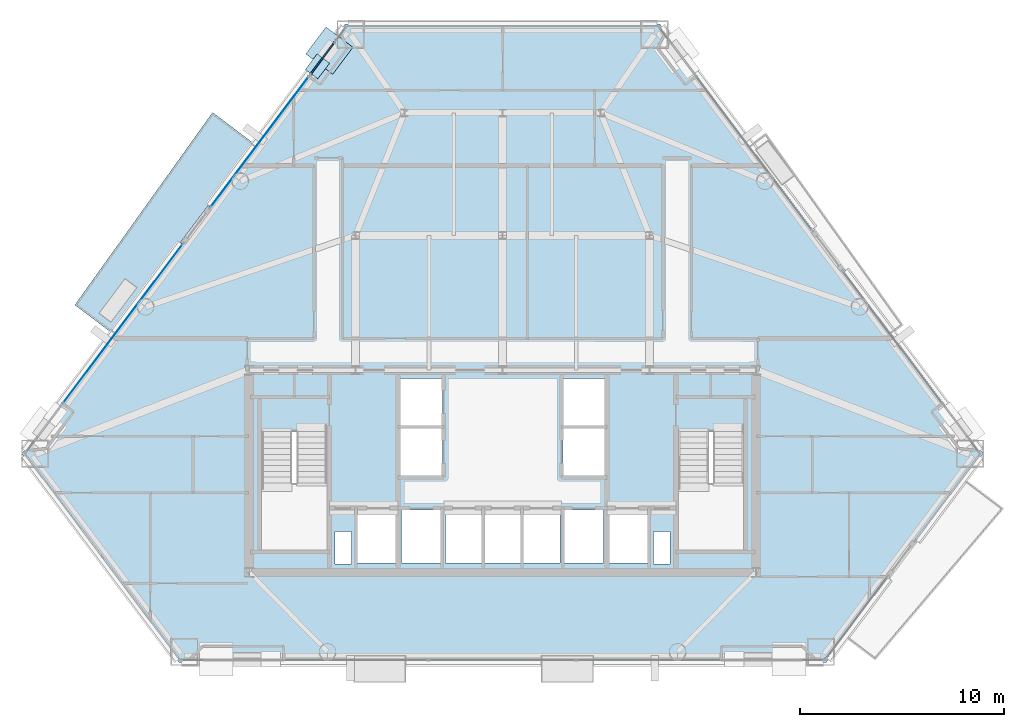
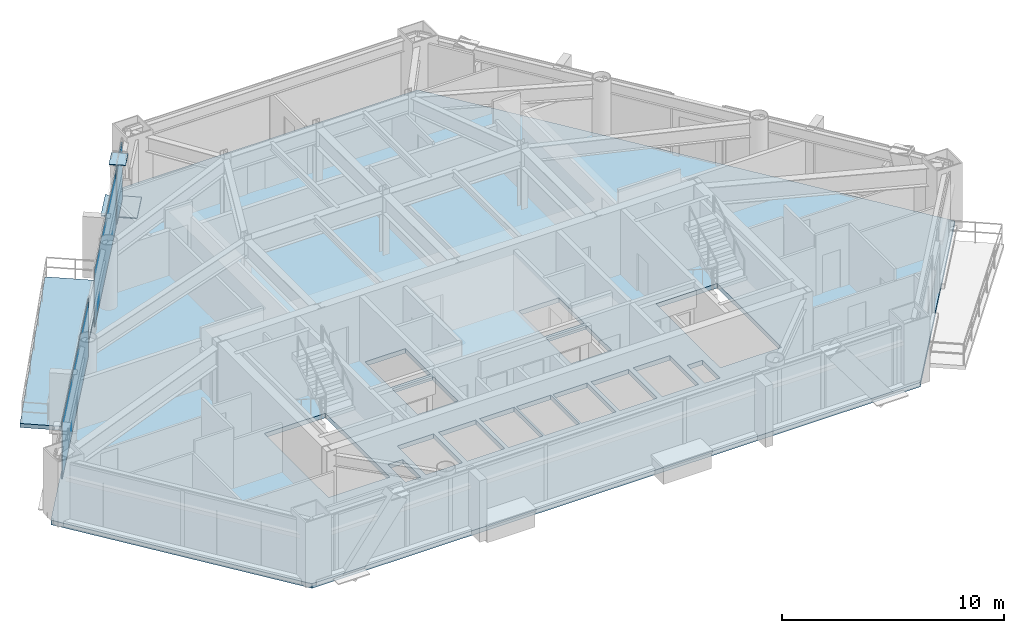
# One storey, part 7 of 14: 5 plates, 2 slabs, 3 elements without a shape of their own.
"""IFC4 building model written with IfcOpenShell, lengths in metres."""

from ifc_helpers import new_model, si_unit, direction, frame, origin, origin_2d, place, context, subcontext, project, spatial, polyline, rectangle, outline, extrude, source, transform, mapped, material, layer, layer_set, type_object, type_shapes, element, aggregate, save


model = new_model("IFC4")

# Units and contexts
model_context = context("Model", 3, precision=1e-05, world=origin(), true_north=direction((0.0, 1.0)))
body_context = subcontext(model_context, "Body", "Model", "MODEL_VIEW")
ifc_project = project(units=[si_unit("LENGTHUNIT", "METRE"), si_unit("AREAUNIT", "SQUARE_METRE"), si_unit("VOLUMEUNIT", "CUBIC_METRE"), si_unit("PLANEANGLEUNIT", "RADIAN"), si_unit("MASSUNIT", "GRAM", prefix="KILO")], contexts=[model_context])

# Site, building, storey
site_placement = place(None, origin())
site = spatial("IfcSite", under=ifc_project, at=site_placement, CompositionType="ELEMENT")
building_placement = place(site_placement, origin())
building = spatial("IfcBuilding", under=site, at=building_placement, Name="Talgorran Terracotta Tower", CompositionType="ELEMENT")
storey_placement = place(building_placement, frame((0.0, 0.0, 56.699951171875)))
storey = spatial("IfcBuildingStorey", under=building, at=storey_placement, Name="L14", CompositionType="ELEMENT", Elevation=56.699951171875)

# Plates
ifc_material_1 = material(Name="Steel Grade 350 (350L0)", Category="steel")
ifc_layer_1 = layer(ifc_material_1, 0.0400390625, Name="PL_CAP_MN05")
ifc_layer_set_1 = layer_set([ifc_layer_1], Name="Steel Grade 350 (350L0)")
plate_type_1 = type_object("IfcPlateType", Name="PL_CAP_MN05", PredefinedType="USERDEFINED", material=ifc_layer_set_1)
plate_1_placement = place(storey_placement, frame((-9.0634765625, 10.67236328125, 3.2900390625), z_axis=(0.0, 0.0, 1.0), x_axis=(-0.6013967761, -0.798950510167, 0.0)))
element("IfcPlate", 1, at=plate_1_placement, inside=storey, type_object=plate_type_1, Name="L14 Diagonal Frame End Cap NWU Top", ObjectType="CAP PLATE", PredefinedType="USERDEFINED", context=body_context, shape_type="SweptSolid", body=[
    extrude(rectangle(XDim=0.9599609375, YDim=0.760009765625, at=origin_2d()), origin(), (0.0, 0.0, 1.0), 0.0400390625),
])
ifc_layer_2 = layer(ifc_material_1, 0.06005859375, Name="PL_NODE_MN01")
ifc_layer_set_2 = layer_set([ifc_layer_2], Name="Steel Grade 350 (350L0)")
plate_type_2 = type_object("IfcPlateType", Name="PL_NODE_MN01", PredefinedType="USERDEFINED", material=ifc_layer_set_2)
plate_2_placement = place(storey_placement, frame((-8.481689453125, 11.44482421875, -0.02001953125), z_axis=(0.0, 0.0, 1.0), x_axis=(-0.6013967761, -0.798950510167, 0.0)))
element("IfcPlate", 2, at=plate_2_placement, inside=storey, type_object=plate_type_2, Name="L14 Diagonal Frame End Cap NWU Bot", ObjectType="NODE PLATE", PredefinedType="USERDEFINED", context=body_context, shape_type="SweptSolid", body=[
    extrude(rectangle(XDim=1.64990234375, YDim=1.64990234375, at=origin_2d()), origin(), (0.0, 0.0, 1.0), 0.06005859375),
])

# Slabs
ifc_material_2 = material(Name="Concrete C40/50", Category="concrete")
ifc_layer_3 = layer(ifc_material_2, 0.219970703125, Name="SL_BALCONY_220")
ifc_layer_set_3 = layer_set([ifc_layer_3], Name="Concrete C40/50")
slab_type_1 = type_object("IfcSlabType", Name="SL_BALCONY_220", PredefinedType="FLOOR", material=ifc_layer_set_3)
slab_1_placement = place(storey_placement, frame((0.0, 0.0, -0.219970703125)))
element("IfcSlab", 3, at=slab_1_placement, inside=storey, type_object=slab_type_1, Name="L14 Outdoor Wave Balcony BAL-NW", PredefinedType="FLOOR", context=body_context, shape_type="SweptSolid", body=[
    extrude(outline(polyline([(-19.11328125, -2.386474609375), (-12.14404296875, 6.87109375), (-14.197509765625, 8.4169921875), (-20.940673828125, -1.0107421875), (-19.11328125, -2.386474609375)])), origin(), (0.0, 0.0, 1.0), 0.219970703125),
])
ifc_layer_4 = layer(ifc_material_2, 0.264892578125, Name="SL_TOWER_265")
ifc_layer_set_4 = layer_set([ifc_layer_4], Name="Concrete C40/50")
slab_type_2 = type_object("IfcSlabType", Name="SL_TOWER_265", PredefinedType="FLOOR", material=ifc_layer_set_4)
slab_2_placement = place(storey_placement, frame((0.0, 0.0, -0.25)))
element("IfcSlab", 4, at=slab_2_placement, inside=storey, type_object=slab_type_2, Name="Storey L14 Structural Floor Slab", PredefinedType="FLOOR", context=body_context, shape_type="SweptSolid", body=[
    extrude(outline(polyline([(-23.5361328125, -8.28662109375), (-15.839111328125, -18.510986328125), (15.839111328125, -18.510986328125), (23.5361328125, -8.28662109375), (7.697021484375, 12.75341796875), (-7.697021484375, 12.75341796875), (-23.5361328125, -8.28662109375)]), holes=[polyline([(-11.800048828125, -7.199951171875), (-11.800048828125, -13.0), (-8.60009765625, -13.0), (-8.60009765625, -7.199951171875), (-11.800048828125, -7.199951171875)]), polyline([(8.60009765625, -7.199951171875), (8.60009765625, -13.0), (11.800048828125, -13.0), (11.800048828125, -7.199951171875), (8.60009765625, -7.199951171875)]), polyline([(-7.10009765625, -13.64990234375), (-5.199951171875, -13.64990234375), (-5.199951171875, -11.050048828125), (-7.10009765625, -11.050048828125), (-7.10009765625, -13.64990234375)]), polyline([(5.199951171875, -13.64990234375), (7.10009765625, -13.64990234375), (7.10009765625, -11.050048828125), (5.199951171875, -11.050048828125), (5.199951171875, -13.64990234375)]), polyline([(3.0, -13.64990234375), (4.949951171875, -13.64990234375), (4.949951171875, -11.050048828125), (3.0, -11.050048828125), (3.0, -13.64990234375)]), polyline([(-4.949951171875, -13.64990234375), (-3.0, -13.64990234375), (-3.0, -11.050048828125), (-4.949951171875, -11.050048828125), (-4.949951171875, -13.64990234375)]), polyline([(-5.050048828125, -9.35009765625), (-2.949951171875, -9.35009765625), (-2.949951171875, -7.050048828125), (-5.050048828125, -7.050048828125), (-5.050048828125, -9.35009765625)]), polyline([(-5.050048828125, -6.89990234375), (-2.949951171875, -6.89990234375), (-2.949951171875, -4.60009765625), (-5.050048828125, -4.60009765625), (-5.050048828125, -6.89990234375)]), polyline([(2.949951171875, -9.35009765625), (5.050048828125, -9.35009765625), (5.050048828125, -7.050048828125), (2.949951171875, -7.050048828125), (2.949951171875, -9.35009765625)]), polyline([(2.949951171875, -6.89990234375), (5.050048828125, -6.89990234375), (5.050048828125, -4.60009765625), (2.949951171875, -4.60009765625), (2.949951171875, -6.89990234375)]), polyline([(-2.800048828125, -13.64990234375), (-1.0, -13.64990234375), (-1.0, -11.050048828125), (-2.800048828125, -11.050048828125), (-2.800048828125, -13.64990234375)]), polyline([(-0.89990234375, -13.64990234375), (0.89990234375, -13.64990234375), (0.89990234375, -11.050048828125), (-0.89990234375, -11.050048828125), (-0.89990234375, -13.64990234375)]), polyline([(1.0, -13.64990234375), (2.800048828125, -13.64990234375), (2.800048828125, -11.050048828125), (1.0, -11.050048828125), (1.0, -13.64990234375)]), polyline([(-8.199951171875, -13.699951171875), (-7.39990234375, -13.699951171875), (-7.39990234375, -12.10009765625), (-8.199951171875, -12.10009765625), (-8.199951171875, -13.699951171875)]), polyline([(7.39990234375, -13.699951171875), (8.199951171875, -13.699951171875), (8.199951171875, -12.10009765625), (7.39990234375, -12.10009765625), (7.39990234375, -13.699951171875)])]), origin(), (0.0, 0.0, 1.0), 0.25),
])

# Curtain wall, plate
ifc_material_3 = material(Name="Unitised Low-E Double Glazing", Category="glass")
ifc_layer_5 = layer(ifc_material_3, 0.199951171875, Name="CW_SYS2_RES_LOW")
ifc_layer_set_5 = layer_set([ifc_layer_5], Name="Unitised Low-E Double Glazing")
curtain_wall_type = type_object("IfcCurtainWallType", Name="CW_SYS2_RES_LOW", PredefinedType="NOTDEFINED", material=ifc_layer_set_5)
curtain_wall_1_placement = place(storey_placement, origin())
curtain_wall_1 = element("IfcCurtainWall", 5, at=curtain_wall_1_placement, inside=storey, type_object=curtain_wall_type, Name="CW-L14-F60B", PredefinedType="NOTDEFINED")
ifc_material_4 = material(Name="Terracotta Insulated Spandrel", Category="masonry")
ifc_layer_6 = layer(ifc_material_4, 0.06494140625, Name="PLT_SPANDREL_TERRA")
ifc_layer_set_6 = layer_set([ifc_layer_6], Name="Terracotta Insulated Spandrel")
plate_type_3 = type_object("IfcPlateType", Name="PLT_SPANDREL_TERRA", PredefinedType="SHEET", material=ifc_layer_set_6)
shared_shape_1 = source(origin(), body_context, "Body", "SweptSolid", [
    extrude(rectangle(XDim=1.955322265625, YDim=0.06494140625, at=origin_2d()), origin(), (0.0, 0.0, 1.0), 3.18994140625),
])
type_shapes(plate_type_3, [shared_shape_1])
plate_3_placement = place(storey_placement, frame((-8.81689453125, 11.066162109375, 0.065185546875), z_axis=(0.0, 0.0, 1.0), x_axis=(-0.601441486788, -0.798916852976, 0.0)))
plate_3 = element("IfcPlate", 6, at=plate_3_placement, type_object=plate_type_3, Name="CW-L14-60B panel 1.1", PredefinedType="CURTAIN_PANEL", context=body_context, shape_type="MappedRepresentation", body=[
    mapped(shared_shape_1, transform((0.0, 0.0, 0.0), scale=1.0)),
])
aggregate(curtain_wall_1, [plate_3])

curtain_wall_2_placement = place(storey_placement, origin())
curtain_wall_2 = element("IfcCurtainWall", 7, at=curtain_wall_2_placement, inside=storey, type_object=curtain_wall_type, Name="CW-L14-F60C", PredefinedType="NOTDEFINED")
ifc_material_5 = material(Name="Low-E Laminated Vision Glass", Category="glass")
ifc_layer_7 = layer(ifc_material_5, 0.028076171875, Name="PLT_VISION_28")
ifc_layer_set_7 = layer_set([ifc_layer_7], Name="Low-E Laminated Vision Glass")
plate_type_4 = type_object("IfcPlateType", Name="PLT_VISION_28", PredefinedType="CURTAIN_PANEL", material=ifc_layer_set_7)
shared_shape_2 = source(origin(), body_context, "Body", "SweptSolid", [
    extrude(rectangle(XDim=7.98876953125, YDim=0.028076171875, at=origin_2d()), origin(), (0.0, 0.0, 1.0), 3.18994140625),
])
plate_4_placement = place(storey_placement, frame((-11.8916015625, 6.98193359375, 0.065185546875), z_axis=(0.0, 0.0, 1.0), x_axis=(-0.601439624741, -0.798918254762, 0.0)))
plate_4 = element("IfcPlate", 8, at=plate_4_placement, type_object=plate_type_4, Name="CW-L14-60C panel 1.1", PredefinedType="CURTAIN_PANEL", context=body_context, shape_type="MappedRepresentation", body=[
    mapped(shared_shape_2, transform((0.0, 0.0, 0.0), scale=1.0)),
])
aggregate(curtain_wall_2, [plate_4])

curtain_wall_3_placement = place(storey_placement, origin())
curtain_wall_3 = element("IfcCurtainWall", 9, at=curtain_wall_3_placement, inside=storey, type_object=curtain_wall_type, Name="CW-L14-F61", PredefinedType="NOTDEFINED")
shared_shape_3 = source(origin(), body_context, "Body", "SweptSolid", [
    extrude(rectangle(XDim=9.738037109375, YDim=0.028076171875, at=origin_2d()), origin(), (0.0, 0.0, 1.0), 3.18994140625),
])
type_shapes(plate_type_4, [shared_shape_2, shared_shape_3])
plate_5_placement = place(storey_placement, frame((-18.599609375, -1.928466796875, 0.065185546875), z_axis=(0.0, 0.0, 1.0), x_axis=(-0.601440456402, -0.798917628672, 0.0)))
plate_5 = element("IfcPlate", 10, at=plate_5_placement, type_object=plate_type_4, Name="CW-L14-61 panel 1.1", PredefinedType="CURTAIN_PANEL", context=body_context, shape_type="MappedRepresentation", body=[
    mapped(shared_shape_3, transform((0.0, 0.0, 0.0), scale=1.0)),
])
aggregate(curtain_wall_3, [plate_5])

save(model, "model.ifc")
